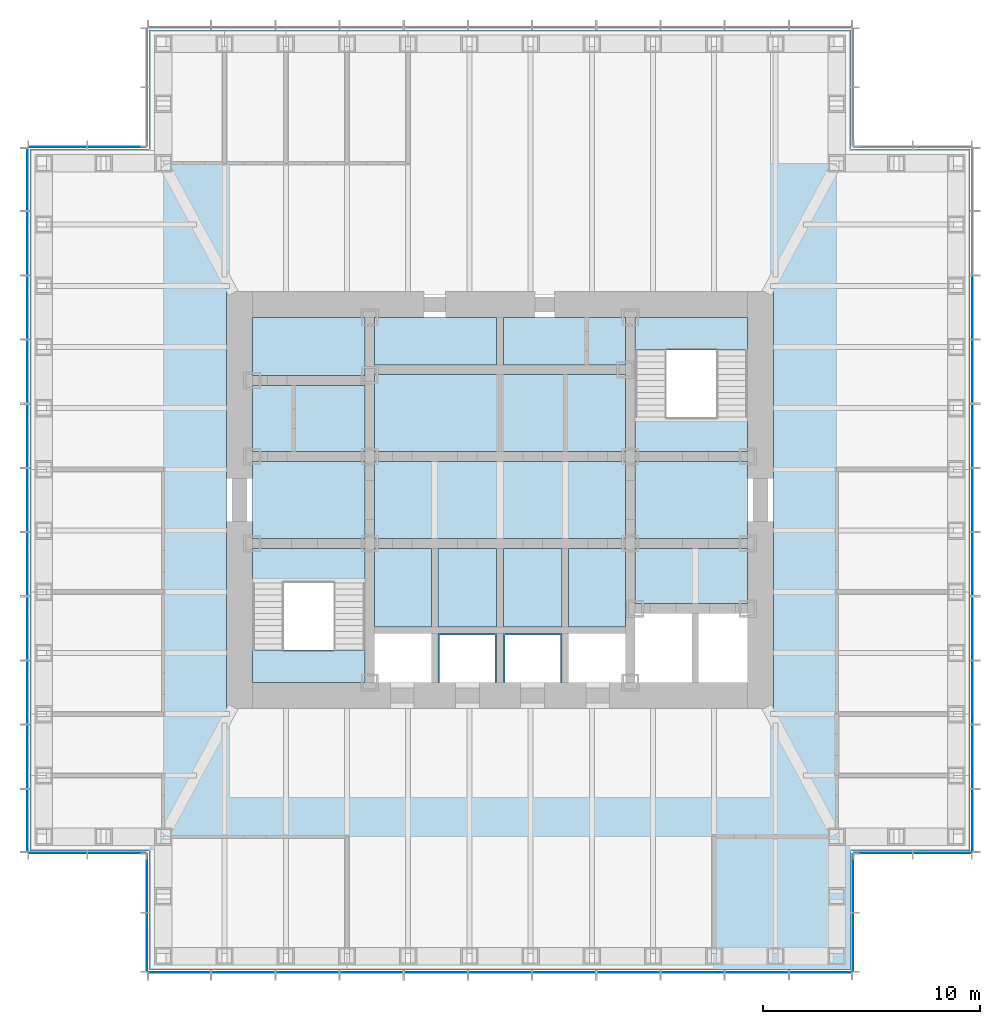
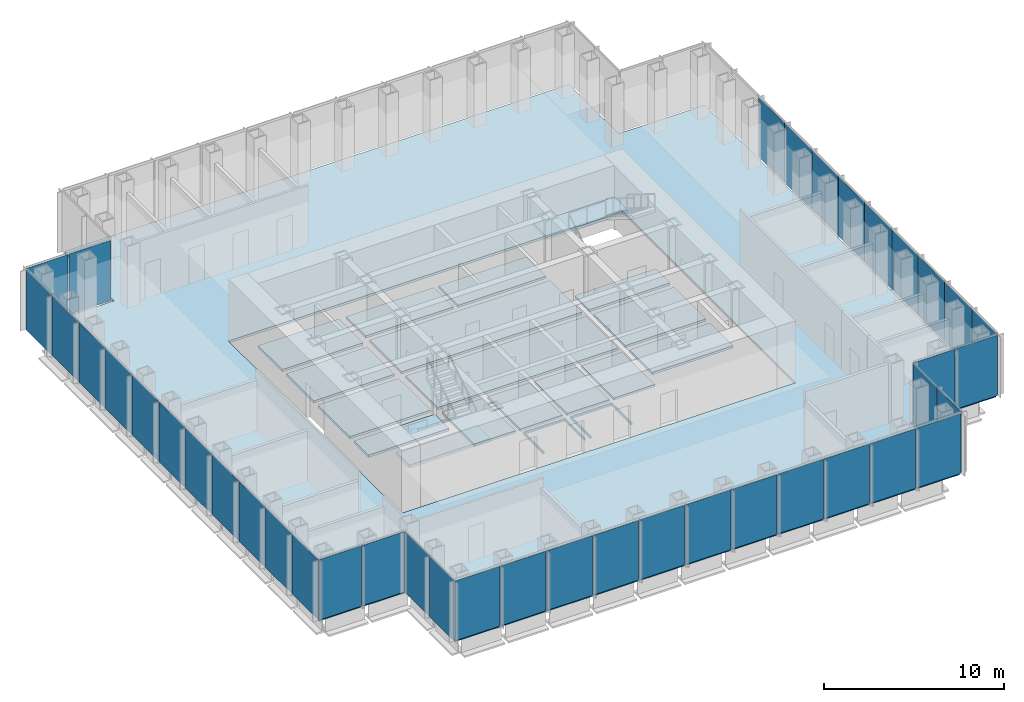
# One storey, part 7 of 16: 41 plates, 20 slabs, 10 elements without a shape of their own.
"""IFC4 building model written with IfcOpenShell, lengths in metres."""

from ifc_helpers import new_model, si_unit, direction, frame, origin, origin_2d, place, context, subcontext, project, spatial, polyline, rectangle, outline, extrude, material, layer, layer_set, type_object, element, aggregate, save


model = new_model("IFC4")

# Units and contexts
model_context = context("Model", 3, precision=1e-05, world=origin(), true_north=direction((0.0, 1.0)))
body_context = subcontext(model_context, "Body", "Model", "MODEL_VIEW")
ifc_project = project(units=[si_unit("LENGTHUNIT", "METRE"), si_unit("AREAUNIT", "SQUARE_METRE"), si_unit("VOLUMEUNIT", "CUBIC_METRE"), si_unit("PLANEANGLEUNIT", "RADIAN"), si_unit("MASSUNIT", "GRAM", prefix="KILO")], contexts=[model_context])

# Site, building, storey
site_placement = place(None, origin())
site = spatial("IfcSite", under=ifc_project, at=site_placement, CompositionType="ELEMENT")
building_placement = place(site_placement, origin())
building = spatial("IfcBuilding", under=site, at=building_placement, Name="Daluyong Arena Tower", CompositionType="ELEMENT")
storey_placement = place(building_placement, frame((0.0, 0.0, 231.699951171875)))
storey = spatial("IfcBuildingStorey", under=building, at=storey_placement, Name="L52", CompositionType="ELEMENT", Elevation=231.699951171875)

# Curtain wall, plates
ifc_material_1 = material(Name="Bronze anodised aluminium and glass", Category="aluminium")
curtain_wall_type_1 = type_object("IfcCurtainWallType", Name="Curtain wall CW3", PredefinedType="USERDEFINED", material=ifc_material_1)
curtain_wall_1_placement = place(storey_placement, origin())
curtain_wall_1 = element("IfcCurtainWall", 1, at=curtain_wall_1_placement, inside=storey, type_object=curtain_wall_type_1, Name="curtain wall L52 S", ObjectType="UNITISED CURTAIN WALL", PredefinedType="USERDEFINED")
ifc_material_2 = material(Name="Tinted double glazed unit", Category="glass")
ifc_layer_1 = layer(ifc_material_2, 0.030029296875)
ifc_layer_set_1 = layer_set([ifc_layer_1], Name="Tinted double glazed unit")
plate_type_1 = type_object("IfcPlateType", Name="CW3 panel 30", PredefinedType="CURTAIN_PANEL", material=ifc_layer_set_1)
plate_1_placement = place(storey_placement, frame((41.244873046875, 58.25, 0.0), z_axis=(0.0, 0.0, 1.0), x_axis=(1.0, 0.0, 0.0)))
plate_1 = element("IfcPlate", 2, at=plate_1_placement, type_object=plate_type_1, Name="curtain wall L52 S panel 1", PredefinedType="CURTAIN_PANEL", context=body_context, shape_type="SweptSolid", body=[
    extrude(rectangle(XDim=2.849609375, YDim=0.030029296875, at=origin_2d()), origin(), (0.0, 0.0, 1.0), 4.0400390625),
])
plate_2_placement = place(storey_placement, frame((44.181884765625, 58.25, 0.0), z_axis=(0.0, 0.0, 1.0), x_axis=(1.0, 0.0, 0.0)))
plate_2 = element("IfcPlate", 3, at=plate_2_placement, type_object=plate_type_1, Name="curtain wall L52 S panel 2", PredefinedType="CURTAIN_PANEL", context=body_context, shape_type="SweptSolid", body=[
    extrude(rectangle(XDim=2.884521484375, YDim=0.030029296875, at=origin_2d()), origin(), (0.0, 0.0, 1.0), 4.0400390625),
])
plate_3_placement = place(storey_placement, frame((47.136474609375, 58.25, 0.0), z_axis=(0.0, 0.0, 1.0), x_axis=(1.0, 0.0, 0.0)))
plate_3 = element("IfcPlate", 4, at=plate_3_placement, type_object=plate_type_1, Name="curtain wall L52 S panel 3", PredefinedType="CURTAIN_PANEL", context=body_context, shape_type="SweptSolid", body=[
    extrude(rectangle(XDim=2.884521484375, YDim=0.030029296875, at=origin_2d()), origin(), (0.0, 0.0, 1.0), 4.0400390625),
])
plate_4_placement = place(storey_placement, frame((50.0908203125, 58.25, 0.0), z_axis=(0.0, 0.0, 1.0), x_axis=(1.0, 0.0, 0.0)))
plate_4 = element("IfcPlate", 5, at=plate_4_placement, type_object=plate_type_1, Name="curtain wall L52 S panel 4", PredefinedType="CURTAIN_PANEL", context=body_context, shape_type="SweptSolid", body=[
    extrude(rectangle(XDim=2.884521484375, YDim=0.030029296875, at=origin_2d()), origin(), (0.0, 0.0, 1.0), 4.0400390625),
])
plate_5_placement = place(storey_placement, frame((53.04541015625, 58.25, 0.0), z_axis=(0.0, 0.0, 1.0), x_axis=(1.0, 0.0, 0.0)))
plate_5 = element("IfcPlate", 6, at=plate_5_placement, type_object=plate_type_1, Name="curtain wall L52 S panel 5", PredefinedType="CURTAIN_PANEL", context=body_context, shape_type="SweptSolid", body=[
    extrude(rectangle(XDim=2.884521484375, YDim=0.030029296875, at=origin_2d()), origin(), (0.0, 0.0, 1.0), 4.0400390625),
])
plate_6_placement = place(storey_placement, frame((56.0, 58.25, 0.0), z_axis=(0.0, 0.0, 1.0), x_axis=(1.0, 0.0, 0.0)))
plate_6 = element("IfcPlate", 7, at=plate_6_placement, type_object=plate_type_1, Name="curtain wall L52 S panel 6", PredefinedType="CURTAIN_PANEL", context=body_context, shape_type="SweptSolid", body=[
    extrude(rectangle(XDim=2.884521484375, YDim=0.030029296875, at=origin_2d()), origin(), (0.0, 0.0, 1.0), 4.0400390625),
])
plate_7_placement = place(storey_placement, frame((58.95458984375, 58.25, 0.0), z_axis=(0.0, 0.0, 1.0), x_axis=(1.0, 0.0, 0.0)))
plate_7 = element("IfcPlate", 8, at=plate_7_placement, type_object=plate_type_1, Name="curtain wall L52 S panel 7", PredefinedType="CURTAIN_PANEL", context=body_context, shape_type="SweptSolid", body=[
    extrude(rectangle(XDim=2.884521484375, YDim=0.030029296875, at=origin_2d()), origin(), (0.0, 0.0, 1.0), 4.0400390625),
])
plate_8_placement = place(storey_placement, frame((61.9091796875, 58.25, 0.0), z_axis=(0.0, 0.0, 1.0), x_axis=(1.0, 0.0, 0.0)))
plate_8 = element("IfcPlate", 9, at=plate_8_placement, type_object=plate_type_1, Name="curtain wall L52 S panel 8", PredefinedType="CURTAIN_PANEL", context=body_context, shape_type="SweptSolid", body=[
    extrude(rectangle(XDim=2.884521484375, YDim=0.030029296875, at=origin_2d()), origin(), (0.0, 0.0, 1.0), 4.0400390625),
])
plate_9_placement = place(storey_placement, frame((64.863525390625, 58.25, 0.0), z_axis=(0.0, 0.0, 1.0), x_axis=(1.0, 0.0, 0.0)))
plate_9 = element("IfcPlate", 10, at=plate_9_placement, type_object=plate_type_1, Name="curtain wall L52 S panel 9", PredefinedType="CURTAIN_PANEL", context=body_context, shape_type="SweptSolid", body=[
    extrude(rectangle(XDim=2.884521484375, YDim=0.030029296875, at=origin_2d()), origin(), (0.0, 0.0, 1.0), 4.0400390625),
])
plate_10_placement = place(storey_placement, frame((67.818115234375, 58.25, 0.0), z_axis=(0.0, 0.0, 1.0), x_axis=(1.0, 0.0, 0.0)))
plate_10 = element("IfcPlate", 11, at=plate_10_placement, type_object=plate_type_1, Name="curtain wall L52 S panel 10", PredefinedType="CURTAIN_PANEL", context=body_context, shape_type="SweptSolid", body=[
    extrude(rectangle(XDim=2.884521484375, YDim=0.030029296875, at=origin_2d()), origin(), (0.0, 0.0, 1.0), 4.0400390625),
])
plate_11_placement = place(storey_placement, frame((70.755126953125, 58.25, 0.0), z_axis=(0.0, 0.0, 1.0), x_axis=(1.0, 0.0, 0.0)))
plate_11 = element("IfcPlate", 12, at=plate_11_placement, type_object=plate_type_1, Name="curtain wall L52 S panel 11", PredefinedType="CURTAIN_PANEL", context=body_context, shape_type="SweptSolid", body=[
    extrude(rectangle(XDim=2.849609375, YDim=0.030029296875, at=origin_2d()), origin(), (0.0, 0.0, 1.0), 4.0400390625),
])
aggregate(curtain_wall_1, [plate_1, plate_2, plate_3, plate_4, plate_5, plate_6, plate_7, plate_8, plate_9, plate_10, plate_11])

curtain_wall_2_placement = place(storey_placement, origin())
curtain_wall_2 = element("IfcCurtainWall", 13, at=curtain_wall_2_placement, inside=storey, type_object=curtain_wall_type_1, Name="curtain wall L52 E", ObjectType="UNITISED CURTAIN WALL", PredefinedType="USERDEFINED")
plate_12_placement = place(storey_placement, frame((77.75, 65.244873046875, 0.0), z_axis=(0.0, 0.0, 1.0), x_axis=(0.0, 1.0, 0.0)))
plate_12 = element("IfcPlate", 14, at=plate_12_placement, type_object=plate_type_1, Name="curtain wall L52 E panel 1", PredefinedType="CURTAIN_PANEL", context=body_context, shape_type="SweptSolid", body=[
    extrude(rectangle(XDim=2.849609375, YDim=0.030029296875, at=origin_2d()), origin(), (0.0, 0.0, 1.0), 4.0400390625),
])
plate_13_placement = place(storey_placement, frame((77.75, 68.181884765625, 0.0), z_axis=(0.0, 0.0, 1.0), x_axis=(0.0, 1.0, 0.0)))
plate_13 = element("IfcPlate", 15, at=plate_13_placement, type_object=plate_type_1, Name="curtain wall L52 E panel 2", PredefinedType="CURTAIN_PANEL", context=body_context, shape_type="SweptSolid", body=[
    extrude(rectangle(XDim=2.884521484375, YDim=0.030029296875, at=origin_2d()), origin(), (0.0, 0.0, 1.0), 4.0400390625),
])
plate_14_placement = place(storey_placement, frame((77.75, 71.136474609375, 0.0), z_axis=(0.0, 0.0, 1.0), x_axis=(0.0, 1.0, 0.0)))
plate_14 = element("IfcPlate", 16, at=plate_14_placement, type_object=plate_type_1, Name="curtain wall L52 E panel 3", PredefinedType="CURTAIN_PANEL", context=body_context, shape_type="SweptSolid", body=[
    extrude(rectangle(XDim=2.884521484375, YDim=0.030029296875, at=origin_2d()), origin(), (0.0, 0.0, 1.0), 4.0400390625),
])
plate_15_placement = place(storey_placement, frame((77.75, 74.0908203125, 0.0), z_axis=(0.0, 0.0, 1.0), x_axis=(0.0, 1.0, 0.0)))
plate_15 = element("IfcPlate", 17, at=plate_15_placement, type_object=plate_type_1, Name="curtain wall L52 E panel 4", PredefinedType="CURTAIN_PANEL", context=body_context, shape_type="SweptSolid", body=[
    extrude(rectangle(XDim=2.884521484375, YDim=0.030029296875, at=origin_2d()), origin(), (0.0, 0.0, 1.0), 4.0400390625),
])
plate_16_placement = place(storey_placement, frame((77.75, 77.04541015625, 0.0), z_axis=(0.0, 0.0, 1.0), x_axis=(0.0, 1.0, 0.0)))
plate_16 = element("IfcPlate", 18, at=plate_16_placement, type_object=plate_type_1, Name="curtain wall L52 E panel 5", PredefinedType="CURTAIN_PANEL", context=body_context, shape_type="SweptSolid", body=[
    extrude(rectangle(XDim=2.884521484375, YDim=0.030029296875, at=origin_2d()), origin(), (0.0, 0.0, 1.0), 4.0400390625),
])
plate_17_placement = place(storey_placement, frame((77.75, 80.0, 0.0), z_axis=(0.0, 0.0, 1.0), x_axis=(0.0, 1.0, 0.0)))
plate_17 = element("IfcPlate", 19, at=plate_17_placement, type_object=plate_type_1, Name="curtain wall L52 E panel 6", PredefinedType="CURTAIN_PANEL", context=body_context, shape_type="SweptSolid", body=[
    extrude(rectangle(XDim=2.884521484375, YDim=0.030029296875, at=origin_2d()), origin(), (0.0, 0.0, 1.0), 4.0400390625),
])
plate_18_placement = place(storey_placement, frame((77.75, 82.95458984375, 0.0), z_axis=(0.0, 0.0, 1.0), x_axis=(0.0, 1.0, 0.0)))
plate_18 = element("IfcPlate", 20, at=plate_18_placement, type_object=plate_type_1, Name="curtain wall L52 E panel 7", PredefinedType="CURTAIN_PANEL", context=body_context, shape_type="SweptSolid", body=[
    extrude(rectangle(XDim=2.884521484375, YDim=0.030029296875, at=origin_2d()), origin(), (0.0, 0.0, 1.0), 4.0400390625),
])
plate_19_placement = place(storey_placement, frame((77.75, 85.9091796875, 0.0), z_axis=(0.0, 0.0, 1.0), x_axis=(0.0, 1.0, 0.0)))
plate_19 = element("IfcPlate", 21, at=plate_19_placement, type_object=plate_type_1, Name="curtain wall L52 E panel 8", PredefinedType="CURTAIN_PANEL", context=body_context, shape_type="SweptSolid", body=[
    extrude(rectangle(XDim=2.884521484375, YDim=0.030029296875, at=origin_2d()), origin(), (0.0, 0.0, 1.0), 4.0400390625),
])
plate_20_placement = place(storey_placement, frame((77.75, 88.863525390625, 0.0), z_axis=(0.0, 0.0, 1.0), x_axis=(0.0, 1.0, 0.0)))
plate_20 = element("IfcPlate", 22, at=plate_20_placement, type_object=plate_type_1, Name="curtain wall L52 E panel 9", PredefinedType="CURTAIN_PANEL", context=body_context, shape_type="SweptSolid", body=[
    extrude(rectangle(XDim=2.884521484375, YDim=0.030029296875, at=origin_2d()), origin(), (0.0, 0.0, 1.0), 4.0400390625),
])
aggregate(curtain_wall_2, [plate_12, plate_13, plate_14, plate_15, plate_16, plate_17, plate_18, plate_19, plate_20])

curtain_wall_3_placement = place(storey_placement, origin())
curtain_wall_3 = element("IfcCurtainWall", 23, at=curtain_wall_3_placement, inside=storey, type_object=curtain_wall_type_1, Name="curtain wall L52 W", ObjectType="UNITISED CURTAIN WALL", PredefinedType="USERDEFINED")
plate_21_placement = place(storey_placement, frame((34.25, 94.755126953125, 0.0), z_axis=(0.0, 0.0, 1.0), x_axis=(0.0, -1.0, 0.0)))
plate_21 = element("IfcPlate", 24, at=plate_21_placement, type_object=plate_type_1, Name="curtain wall L52 W panel 1", PredefinedType="CURTAIN_PANEL", context=body_context, shape_type="SweptSolid", body=[
    extrude(rectangle(XDim=2.849609375, YDim=0.030029296875, at=origin_2d()), origin(), (0.0, 0.0, 1.0), 4.0400390625),
])
plate_22_placement = place(storey_placement, frame((34.25, 91.818115234375, 0.0), z_axis=(0.0, 0.0, 1.0), x_axis=(0.0, -1.0, 0.0)))
plate_22 = element("IfcPlate", 25, at=plate_22_placement, type_object=plate_type_1, Name="curtain wall L52 W panel 2", PredefinedType="CURTAIN_PANEL", context=body_context, shape_type="SweptSolid", body=[
    extrude(rectangle(XDim=2.884521484375, YDim=0.030029296875, at=origin_2d()), origin(), (0.0, 0.0, 1.0), 4.0400390625),
])
plate_23_placement = place(storey_placement, frame((34.25, 88.863525390625, 0.0), z_axis=(0.0, 0.0, 1.0), x_axis=(0.0, -1.0, 0.0)))
plate_23 = element("IfcPlate", 26, at=plate_23_placement, type_object=plate_type_1, Name="curtain wall L52 W panel 3", PredefinedType="CURTAIN_PANEL", context=body_context, shape_type="SweptSolid", body=[
    extrude(rectangle(XDim=2.884521484375, YDim=0.030029296875, at=origin_2d()), origin(), (0.0, 0.0, 1.0), 4.0400390625),
])
plate_24_placement = place(storey_placement, frame((34.25, 85.9091796875, 0.0), z_axis=(0.0, 0.0, 1.0), x_axis=(0.0, -1.0, 0.0)))
plate_24 = element("IfcPlate", 27, at=plate_24_placement, type_object=plate_type_1, Name="curtain wall L52 W panel 4", PredefinedType="CURTAIN_PANEL", context=body_context, shape_type="SweptSolid", body=[
    extrude(rectangle(XDim=2.884521484375, YDim=0.030029296875, at=origin_2d()), origin(), (0.0, 0.0, 1.0), 4.0400390625),
])
plate_25_placement = place(storey_placement, frame((34.25, 82.95458984375, 0.0), z_axis=(0.0, 0.0, 1.0), x_axis=(0.0, -1.0, 0.0)))
plate_25 = element("IfcPlate", 28, at=plate_25_placement, type_object=plate_type_1, Name="curtain wall L52 W panel 5", PredefinedType="CURTAIN_PANEL", context=body_context, shape_type="SweptSolid", body=[
    extrude(rectangle(XDim=2.884521484375, YDim=0.030029296875, at=origin_2d()), origin(), (0.0, 0.0, 1.0), 4.0400390625),
])
plate_26_placement = place(storey_placement, frame((34.25, 80.0, 0.0), z_axis=(0.0, 0.0, 1.0), x_axis=(0.0, -1.0, 0.0)))
plate_26 = element("IfcPlate", 29, at=plate_26_placement, type_object=plate_type_1, Name="curtain wall L52 W panel 6", PredefinedType="CURTAIN_PANEL", context=body_context, shape_type="SweptSolid", body=[
    extrude(rectangle(XDim=2.884521484375, YDim=0.030029296875, at=origin_2d()), origin(), (0.0, 0.0, 1.0), 4.0400390625),
])
plate_27_placement = place(storey_placement, frame((34.25, 77.04541015625, 0.0), z_axis=(0.0, 0.0, 1.0), x_axis=(0.0, -1.0, 0.0)))
plate_27 = element("IfcPlate", 30, at=plate_27_placement, type_object=plate_type_1, Name="curtain wall L52 W panel 7", PredefinedType="CURTAIN_PANEL", context=body_context, shape_type="SweptSolid", body=[
    extrude(rectangle(XDim=2.884521484375, YDim=0.030029296875, at=origin_2d()), origin(), (0.0, 0.0, 1.0), 4.0400390625),
])
plate_28_placement = place(storey_placement, frame((34.25, 74.0908203125, 0.0), z_axis=(0.0, 0.0, 1.0), x_axis=(0.0, -1.0, 0.0)))
plate_28 = element("IfcPlate", 31, at=plate_28_placement, type_object=plate_type_1, Name="curtain wall L52 W panel 8", PredefinedType="CURTAIN_PANEL", context=body_context, shape_type="SweptSolid", body=[
    extrude(rectangle(XDim=2.884521484375, YDim=0.030029296875, at=origin_2d()), origin(), (0.0, 0.0, 1.0), 4.0400390625),
])
plate_29_placement = place(storey_placement, frame((34.25, 71.136474609375, 0.0), z_axis=(0.0, 0.0, 1.0), x_axis=(0.0, -1.0, 0.0)))
plate_29 = element("IfcPlate", 32, at=plate_29_placement, type_object=plate_type_1, Name="curtain wall L52 W panel 9", PredefinedType="CURTAIN_PANEL", context=body_context, shape_type="SweptSolid", body=[
    extrude(rectangle(XDim=2.884521484375, YDim=0.030029296875, at=origin_2d()), origin(), (0.0, 0.0, 1.0), 4.0400390625),
])
plate_30_placement = place(storey_placement, frame((34.25, 68.181884765625, 0.0), z_axis=(0.0, 0.0, 1.0), x_axis=(0.0, -1.0, 0.0)))
plate_30 = element("IfcPlate", 33, at=plate_30_placement, type_object=plate_type_1, Name="curtain wall L52 W panel 10", PredefinedType="CURTAIN_PANEL", context=body_context, shape_type="SweptSolid", body=[
    extrude(rectangle(XDim=2.884521484375, YDim=0.030029296875, at=origin_2d()), origin(), (0.0, 0.0, 1.0), 4.0400390625),
])
plate_31_placement = place(storey_placement, frame((34.25, 65.244873046875, 0.0), z_axis=(0.0, 0.0, 1.0), x_axis=(0.0, -1.0, 0.0)))
plate_31 = element("IfcPlate", 34, at=plate_31_placement, type_object=plate_type_1, Name="curtain wall L52 W panel 11", PredefinedType="CURTAIN_PANEL", context=body_context, shape_type="SweptSolid", body=[
    extrude(rectangle(XDim=2.849609375, YDim=0.030029296875, at=origin_2d()), origin(), (0.0, 0.0, 1.0), 4.0400390625),
])
aggregate(curtain_wall_3, [plate_21, plate_22, plate_23, plate_24, plate_25, plate_26, plate_27, plate_28, plate_29, plate_30, plate_31])

ifc_material_3 = material(Name="Bronze anodised aluminium and glass", Category="aluminium")
curtain_wall_type_2 = type_object("IfcCurtainWallType", Name="Curtain wall CW7", PredefinedType="USERDEFINED", material=ifc_material_3)
curtain_wall_4_placement = place(storey_placement, origin())
curtain_wall_4 = element("IfcCurtainWall", 35, at=curtain_wall_4_placement, inside=storey, type_object=curtain_wall_type_2, Name="curtain wall L52 SE-E", ObjectType="UNITISED CURTAIN WALL", PredefinedType="USERDEFINED")
ifc_material_4 = material(Name="Tinted double glazed unit", Category="glass")
ifc_layer_2 = layer(ifc_material_4, 0.028076171875)
ifc_layer_set_2 = layer_set([ifc_layer_2], Name="Tinted double glazed unit")
plate_type_2 = type_object("IfcPlateType", Name="CW7 panel 28", PredefinedType="CURTAIN_PANEL", material=ifc_layer_set_2)
plate_32_placement = place(storey_placement, frame((72.25, 59.639892578125, 0.0), z_axis=(0.0, 0.0, 1.0), x_axis=(0.0, 1.0, 0.0)))
plate_32 = element("IfcPlate", 36, at=plate_32_placement, type_object=plate_type_2, Name="curtain wall L52 SE-E panel 1", PredefinedType="CURTAIN_PANEL", context=body_context, shape_type="SweptSolid", body=[
    extrude(rectangle(XDim=2.659912109375, YDim=0.028076171875, at=origin_2d()), origin(), (0.0, 0.0, 1.0), 4.080078125),
])
plate_33_placement = place(storey_placement, frame((72.25, 62.360107421875, 0.0), z_axis=(0.0, 0.0, 1.0), x_axis=(0.0, 1.0, 0.0)))
plate_33 = element("IfcPlate", 37, at=plate_33_placement, type_object=plate_type_2, Name="curtain wall L52 SE-E panel 2", PredefinedType="CURTAIN_PANEL", context=body_context, shape_type="SweptSolid", body=[
    extrude(rectangle(XDim=2.659912109375, YDim=0.028076171875, at=origin_2d()), origin(), (0.0, 0.0, 1.0), 4.080078125),
])
aggregate(curtain_wall_4, [plate_32, plate_33])

curtain_wall_5_placement = place(storey_placement, origin())
curtain_wall_5 = element("IfcCurtainWall", 38, at=curtain_wall_5_placement, inside=storey, type_object=curtain_wall_type_2, Name="curtain wall L52 SE-S", ObjectType="UNITISED CURTAIN WALL", PredefinedType="USERDEFINED")
plate_34_placement = place(storey_placement, frame((73.639892578125, 63.75, 0.0), z_axis=(0.0, 0.0, 1.0), x_axis=(1.0, 0.0, 0.0)))
plate_34 = element("IfcPlate", 39, at=plate_34_placement, type_object=plate_type_2, Name="curtain wall L52 SE-S panel 1", PredefinedType="CURTAIN_PANEL", context=body_context, shape_type="SweptSolid", body=[
    extrude(rectangle(XDim=2.659912109375, YDim=0.028076171875, at=origin_2d()), origin(), (0.0, 0.0, 1.0), 4.080078125),
])
plate_35_placement = place(storey_placement, frame((76.360107421875, 63.75, 0.0), z_axis=(0.0, 0.0, 1.0), x_axis=(1.0, 0.0, 0.0)))
plate_35 = element("IfcPlate", 40, at=plate_35_placement, type_object=plate_type_2, Name="curtain wall L52 SE-S panel 2", PredefinedType="CURTAIN_PANEL", context=body_context, shape_type="SweptSolid", body=[
    extrude(rectangle(XDim=2.659912109375, YDim=0.028076171875, at=origin_2d()), origin(), (0.0, 0.0, 1.0), 4.080078125),
])
aggregate(curtain_wall_5, [plate_34, plate_35])

curtain_wall_6_placement = place(storey_placement, origin())
curtain_wall_6 = element("IfcCurtainWall", 41, at=curtain_wall_6_placement, inside=storey, type_object=curtain_wall_type_2, Name="curtain wall L52 NW-N", ObjectType="UNITISED CURTAIN WALL", PredefinedType="USERDEFINED")
plate_36_placement = place(storey_placement, frame((38.360107421875, 96.25, 0.0), z_axis=(0.0, 0.0, 1.0), x_axis=(-1.0, 0.0, 0.0)))
plate_36 = element("IfcPlate", 42, at=plate_36_placement, type_object=plate_type_2, Name="curtain wall L52 NW-N panel 1", PredefinedType="CURTAIN_PANEL", context=body_context, shape_type="SweptSolid", body=[
    extrude(rectangle(XDim=2.659912109375, YDim=0.028076171875, at=origin_2d()), origin(), (0.0, 0.0, 1.0), 4.080078125),
])
plate_37_placement = place(storey_placement, frame((35.639892578125, 96.25, 0.0), z_axis=(0.0, 0.0, 1.0), x_axis=(-1.0, 0.0, 0.0)))
plate_37 = element("IfcPlate", 43, at=plate_37_placement, type_object=plate_type_2, Name="curtain wall L52 NW-N panel 2", PredefinedType="CURTAIN_PANEL", context=body_context, shape_type="SweptSolid", body=[
    extrude(rectangle(XDim=2.659912109375, YDim=0.028076171875, at=origin_2d()), origin(), (0.0, 0.0, 1.0), 4.080078125),
])
aggregate(curtain_wall_6, [plate_36, plate_37])

curtain_wall_7_placement = place(storey_placement, origin())
curtain_wall_7 = element("IfcCurtainWall", 44, at=curtain_wall_7_placement, inside=storey, type_object=curtain_wall_type_2, Name="curtain wall L52 SW-S", ObjectType="UNITISED CURTAIN WALL", PredefinedType="USERDEFINED")
plate_38_placement = place(storey_placement, frame((35.639892578125, 63.75, 0.0), z_axis=(0.0, 0.0, 1.0), x_axis=(1.0, 0.0, 0.0)))
plate_38 = element("IfcPlate", 45, at=plate_38_placement, type_object=plate_type_2, Name="curtain wall L52 SW-S panel 1", PredefinedType="CURTAIN_PANEL", context=body_context, shape_type="SweptSolid", body=[
    extrude(rectangle(XDim=2.659912109375, YDim=0.028076171875, at=origin_2d()), origin(), (0.0, 0.0, 1.0), 4.080078125),
])
plate_39_placement = place(storey_placement, frame((38.360107421875, 63.75, 0.0), z_axis=(0.0, 0.0, 1.0), x_axis=(1.0, 0.0, 0.0)))
plate_39 = element("IfcPlate", 46, at=plate_39_placement, type_object=plate_type_2, Name="curtain wall L52 SW-S panel 2", PredefinedType="CURTAIN_PANEL", context=body_context, shape_type="SweptSolid", body=[
    extrude(rectangle(XDim=2.659912109375, YDim=0.028076171875, at=origin_2d()), origin(), (0.0, 0.0, 1.0), 4.080078125),
])
aggregate(curtain_wall_7, [plate_38, plate_39])

curtain_wall_8_placement = place(storey_placement, origin())
curtain_wall_8 = element("IfcCurtainWall", 47, at=curtain_wall_8_placement, inside=storey, type_object=curtain_wall_type_2, Name="curtain wall L52 SW-W", ObjectType="UNITISED CURTAIN WALL", PredefinedType="USERDEFINED")
plate_40_placement = place(storey_placement, frame((39.75, 62.360107421875, 0.0), z_axis=(0.0, 0.0, 1.0), x_axis=(0.0, -1.0, 0.0)))
plate_40 = element("IfcPlate", 48, at=plate_40_placement, type_object=plate_type_2, Name="curtain wall L52 SW-W panel 1", PredefinedType="CURTAIN_PANEL", context=body_context, shape_type="SweptSolid", body=[
    extrude(rectangle(XDim=2.659912109375, YDim=0.028076171875, at=origin_2d()), origin(), (0.0, 0.0, 1.0), 4.080078125),
])
plate_41_placement = place(storey_placement, frame((39.75, 59.639892578125, 0.0), z_axis=(0.0, 0.0, 1.0), x_axis=(0.0, -1.0, 0.0)))
plate_41 = element("IfcPlate", 49, at=plate_41_placement, type_object=plate_type_2, Name="curtain wall L52 SW-W panel 2", PredefinedType="CURTAIN_PANEL", context=body_context, shape_type="SweptSolid", body=[
    extrude(rectangle(XDim=2.659912109375, YDim=0.028076171875, at=origin_2d()), origin(), (0.0, 0.0, 1.0), 4.080078125),
])
aggregate(curtain_wall_8, [plate_40, plate_41])

# Stair, slab
ifc_material_5 = material(Name="Concrete fc' 35 MPa", Category="concrete")
stair_type = type_object("IfcStairType", Name="Core exit stair", PredefinedType="HALF_TURN_STAIR", material=ifc_material_5)
stair_1_placement = place(storey_placement, origin())
stair_1 = element("IfcStair", 50, at=stair_1_placement, inside=storey, type_object=stair_type, Name="exit stair A L52", PredefinedType="HALF_TURN_STAIR")
ifc_material_6 = material(Name="Concrete fc' 35 MPa", Category="concrete")
ifc_layer_3 = layer(ifc_material_6, 0.199951171875)
ifc_layer_set_3 = layer_set([ifc_layer_3], Name="Concrete fc' 35 MPa")
slab_type_1 = type_object("IfcSlabType", Name="Stair landing 200", PredefinedType="LANDING", material=ifc_layer_set_3)
slab_1_placement = place(storey_placement, frame((0.0, 0.0, 1.900146484375)))
slab_1 = element("IfcSlab", 51, at=slab_1_placement, type_object=slab_type_1, Name="STA landing 1", PredefinedType="LANDING", context=body_context, shape_type="SweptSolid", body=[
    extrude(outline(polyline([(44.60009765625, 71.60009765625), (49.77490234375, 71.60009765625), (49.77490234375, 73.094970703125), (44.60009765625, 73.094970703125), (44.60009765625, 71.60009765625)])), origin(), (0.0, 0.0, 1.0), 0.199951171875),
])
aggregate(stair_1, [slab_1])

stair_2_placement = place(storey_placement, origin())
stair_2 = element("IfcStair", 52, at=stair_2_placement, inside=storey, type_object=stair_type, Name="exit stair B L52", PredefinedType="HALF_TURN_STAIR")
slab_2_placement = place(storey_placement, frame((0.0, 0.0, 1.900146484375)))
slab_2 = element("IfcSlab", 53, at=slab_2_placement, type_object=slab_type_1, Name="STB landing 1", PredefinedType="LANDING", context=body_context, shape_type="SweptSolid", body=[
    extrude(outline(polyline([(62.22509765625, 86.905029296875), (67.39990234375, 86.905029296875), (67.39990234375, 88.39990234375), (62.22509765625, 88.39990234375), (62.22509765625, 86.905029296875)])), origin(), (0.0, 0.0, 1.0), 0.199951171875),
])
aggregate(stair_2, [slab_2])

# Slabs
ifc_material_7 = material(Name="Concrete fc' 35 MPa", Category="concrete")
ifc_layer_4 = layer(ifc_material_7, 0.159912109375)
ifc_layer_set_4 = layer_set([ifc_layer_4], Name="Concrete fc' 35 MPa")
slab_type_2 = type_object("IfcSlabType", Name="Tower floor slab 160", PredefinedType="FLOOR", material=ifc_layer_set_4)
slab_3_placement = place(storey_placement, frame((0.0, 0.0, -0.159912109375)))
element("IfcSlab", 54, at=slab_3_placement, inside=storey, type_object=slab_type_2, Name="floor L52 part 1", PredefinedType="FLOOR", context=body_context, shape_type="SweptSolid", body=[
    extrude(outline(polyline([(49.77490234375, 77.77490234375), (44.60009765625, 77.77490234375), (44.60009765625, 76.175048828125), (49.77490234375, 76.175048828125), (49.77490234375, 77.77490234375)])), origin(), (0.0, 0.0, 1.0), 0.159912109375),
])
slab_4_placement = place(storey_placement, frame((0.0, 0.0, -0.159912109375)))
element("IfcSlab", 55, at=slab_4_placement, inside=storey, type_object=slab_type_2, Name="floor L52 part 2", PredefinedType="FLOOR", context=body_context, shape_type="SweptSolid", body=[
    extrude(outline(polyline([(49.77490234375, 78.22509765625), (49.77490234375, 81.77490234375), (44.60009765625, 81.77490234375), (44.60009765625, 78.22509765625), (49.77490234375, 78.22509765625)])), origin(), (0.0, 0.0, 1.0), 0.159912109375),
])
slab_5_placement = place(storey_placement, frame((0.0, 0.0, -0.159912109375)))
element("IfcSlab", 56, at=slab_5_placement, inside=storey, type_object=slab_type_2, Name="floor L52 part 3", PredefinedType="FLOOR", context=body_context, shape_type="SweptSolid", body=[
    extrude(outline(polyline([(44.60009765625, 85.27490234375), (44.60009765625, 82.22509765625), (49.77490234375, 82.22509765625), (49.77490234375, 85.27490234375), (44.60009765625, 85.27490234375)])), origin(), (0.0, 0.0, 1.0), 0.159912109375),
])
slab_6_placement = place(storey_placement, frame((0.0, 0.0, -0.159912109375)))
element("IfcSlab", 57, at=slab_6_placement, inside=storey, type_object=slab_type_2, Name="floor L52 part 4", PredefinedType="FLOOR", context=body_context, shape_type="SweptSolid", body=[
    extrude(outline(polyline([(44.60009765625, 88.39990234375), (44.60009765625, 85.72509765625), (49.77490234375, 85.72509765625), (49.77490234375, 88.39990234375), (44.60009765625, 88.39990234375)])), origin(), (0.0, 0.0, 1.0), 0.159912109375),
])
slab_7_placement = place(storey_placement, frame((0.0, 0.0, -0.159912109375)))
element("IfcSlab", 58, at=slab_7_placement, inside=storey, type_object=slab_type_2, Name="floor L52 part 5", PredefinedType="FLOOR", context=body_context, shape_type="SweptSolid", body=[
    extrude(outline(polyline([(52.85009765625, 74.14990234375), (52.85009765625, 77.77490234375), (50.22509765625, 77.77490234375), (50.22509765625, 74.14990234375), (52.85009765625, 74.14990234375)])), origin(), (0.0, 0.0, 1.0), 0.159912109375),
])
slab_8_placement = place(storey_placement, frame((0.0, 0.0, -0.159912109375)))
element("IfcSlab", 59, at=slab_8_placement, inside=storey, type_object=slab_type_2, Name="floor L52 part 6", PredefinedType="FLOOR", context=body_context, shape_type="SweptSolid", body=[
    extrude(outline(polyline([(50.22509765625, 88.39990234375), (50.22509765625, 86.22509765625), (55.85009765625, 86.22509765625), (55.85009765625, 88.39990234375), (50.22509765625, 88.39990234375)])), origin(), (0.0, 0.0, 1.0), 0.159912109375),
])
slab_9_placement = place(storey_placement, frame((0.0, 0.0, -0.159912109375)))
element("IfcSlab", 60, at=slab_9_placement, inside=storey, type_object=slab_type_2, Name="floor L52 part 7", PredefinedType="FLOOR", context=body_context, shape_type="SweptSolid", body=[
    extrude(outline(polyline([(53.22509765625, 71.60009765625), (53.22509765625, 73.77490234375), (55.77490234375, 73.77490234375), (55.77490234375, 71.60009765625), (55.85009765625, 71.60009765625), (55.85009765625, 73.85009765625), (53.14990234375, 73.85009765625), (53.14990234375, 71.60009765625), (53.22509765625, 71.60009765625)])), origin(), (0.0, 0.0, 1.0), 0.159912109375),
])
slab_10_placement = place(storey_placement, frame((0.0, 0.0, -0.159912109375)))
element("IfcSlab", 61, at=slab_10_placement, inside=storey, type_object=slab_type_2, Name="floor L52 part 8", PredefinedType="FLOOR", context=body_context, shape_type="SweptSolid", body=[
    extrude(outline(polyline([(53.14990234375, 74.14990234375), (55.85009765625, 74.14990234375), (55.85009765625, 77.77490234375), (53.14990234375, 77.77490234375), (53.14990234375, 74.14990234375)])), origin(), (0.0, 0.0, 1.0), 0.159912109375),
])
slab_11_placement = place(storey_placement, frame((0.0, 0.0, -0.159912109375)))
element("IfcSlab", 62, at=slab_11_placement, inside=storey, type_object=slab_type_2, Name="floor L52 part 9", PredefinedType="FLOOR", context=body_context, shape_type="SweptSolid", body=[
    extrude(outline(polyline([(39.85009765625, 63.85009765625), (39.85009765625, 58.35009765625), (72.14990234375, 58.35009765625), (72.14990234375, 63.85009765625), (77.64990234375, 63.85009765625), (77.64990234375, 96.14990234375), (72.14990234375, 96.14990234375), (72.14990234375, 101.64990234375), (39.85009765625, 101.64990234375), (39.85009765625, 96.14990234375), (34.35009765625, 96.14990234375), (34.35009765625, 63.85009765625), (39.85009765625, 63.85009765625)]), holes=[polyline([(68.60009765625, 89.60009765625), (68.60009765625, 70.39990234375), (43.39990234375, 70.39990234375), (43.39990234375, 89.60009765625), (68.60009765625, 89.60009765625)])]), origin(), (0.0, 0.0, 1.0), 0.159912109375),
])
slab_12_placement = place(storey_placement, frame((0.0, 0.0, -0.159912109375)))
element("IfcSlab", 63, at=slab_12_placement, inside=storey, type_object=slab_type_2, Name="floor L52 part 10", PredefinedType="FLOOR", context=body_context, shape_type="SweptSolid", body=[
    extrude(outline(polyline([(50.22509765625, 81.77490234375), (50.22509765625, 78.22509765625), (61.77490234375, 78.22509765625), (61.77490234375, 81.77490234375), (50.22509765625, 81.77490234375)])), origin(), (0.0, 0.0, 1.0), 0.159912109375),
])
slab_13_placement = place(storey_placement, frame((0.0, 0.0, -0.159912109375)))
element("IfcSlab", 64, at=slab_13_placement, inside=storey, type_object=slab_type_2, Name="floor L52 part 11", PredefinedType="FLOOR", context=body_context, shape_type="SweptSolid", body=[
    extrude(outline(polyline([(50.22509765625, 85.77490234375), (50.22509765625, 82.22509765625), (61.77490234375, 82.22509765625), (61.77490234375, 85.77490234375), (50.22509765625, 85.77490234375)])), origin(), (0.0, 0.0, 1.0), 0.159912109375),
])
slab_14_placement = place(storey_placement, frame((0.0, 0.0, -0.159912109375)))
element("IfcSlab", 65, at=slab_14_placement, inside=storey, type_object=slab_type_2, Name="floor L52 part 12", PredefinedType="FLOOR", context=body_context, shape_type="SweptSolid", body=[
    extrude(outline(polyline([(56.22509765625, 71.60009765625), (56.22509765625, 73.77490234375), (58.77490234375, 73.77490234375), (58.77490234375, 71.60009765625), (58.85009765625, 71.60009765625), (58.85009765625, 73.85009765625), (56.14990234375, 73.85009765625), (56.14990234375, 71.60009765625), (56.22509765625, 71.60009765625)])), origin(), (0.0, 0.0, 1.0), 0.159912109375),
])
slab_15_placement = place(storey_placement, frame((0.0, 0.0, -0.159912109375)))
element("IfcSlab", 66, at=slab_15_placement, inside=storey, type_object=slab_type_2, Name="floor L52 part 13", PredefinedType="FLOOR", context=body_context, shape_type="SweptSolid", body=[
    extrude(outline(polyline([(58.85009765625, 77.77490234375), (56.14990234375, 77.77490234375), (56.14990234375, 74.14990234375), (58.85009765625, 74.14990234375), (58.85009765625, 77.77490234375)])), origin(), (0.0, 0.0, 1.0), 0.159912109375),
])
slab_16_placement = place(storey_placement, frame((0.0, 0.0, -0.159912109375)))
element("IfcSlab", 67, at=slab_16_placement, inside=storey, type_object=slab_type_2, Name="floor L52 part 14", PredefinedType="FLOOR", context=body_context, shape_type="SweptSolid", body=[
    extrude(outline(polyline([(56.14990234375, 88.39990234375), (56.14990234375, 86.22509765625), (61.77490234375, 86.22509765625), (61.77490234375, 88.39990234375), (56.14990234375, 88.39990234375)])), origin(), (0.0, 0.0, 1.0), 0.159912109375),
])
slab_17_placement = place(storey_placement, frame((0.0, 0.0, -0.159912109375)))
element("IfcSlab", 68, at=slab_17_placement, inside=storey, type_object=slab_type_2, Name="floor L52 part 15", PredefinedType="FLOOR", context=body_context, shape_type="SweptSolid", body=[
    extrude(outline(polyline([(61.77490234375, 77.77490234375), (59.14990234375, 77.77490234375), (59.14990234375, 74.14990234375), (61.77490234375, 74.14990234375), (61.77490234375, 77.77490234375)])), origin(), (0.0, 0.0, 1.0), 0.159912109375),
])
slab_18_placement = place(storey_placement, frame((0.0, 0.0, -0.159912109375)))
element("IfcSlab", 69, at=slab_18_placement, inside=storey, type_object=slab_type_2, Name="floor L52 part 16", PredefinedType="FLOOR", context=body_context, shape_type="SweptSolid", body=[
    extrude(outline(polyline([(67.39990234375, 75.22509765625), (67.39990234375, 77.77490234375), (62.22509765625, 77.77490234375), (62.22509765625, 75.22509765625), (67.39990234375, 75.22509765625)])), origin(), (0.0, 0.0, 1.0), 0.159912109375),
])
slab_19_placement = place(storey_placement, frame((0.0, 0.0, -0.159912109375)))
element("IfcSlab", 70, at=slab_19_placement, inside=storey, type_object=slab_type_2, Name="floor L52 part 17", PredefinedType="FLOOR", context=body_context, shape_type="SweptSolid", body=[
    extrude(outline(polyline([(67.39990234375, 78.22509765625), (67.39990234375, 81.77490234375), (62.22509765625, 81.77490234375), (62.22509765625, 78.22509765625), (67.39990234375, 78.22509765625)])), origin(), (0.0, 0.0, 1.0), 0.159912109375),
])
slab_20_placement = place(storey_placement, frame((0.0, 0.0, -0.159912109375)))
element("IfcSlab", 71, at=slab_20_placement, inside=storey, type_object=slab_type_2, Name="floor L52 part 18", PredefinedType="FLOOR", context=body_context, shape_type="SweptSolid", body=[
    extrude(outline(polyline([(67.39990234375, 83.824951171875), (62.22509765625, 83.824951171875), (62.22509765625, 82.22509765625), (67.39990234375, 82.22509765625), (67.39990234375, 83.824951171875)])), origin(), (0.0, 0.0, 1.0), 0.159912109375),
])

save(model, "model.ifc")
